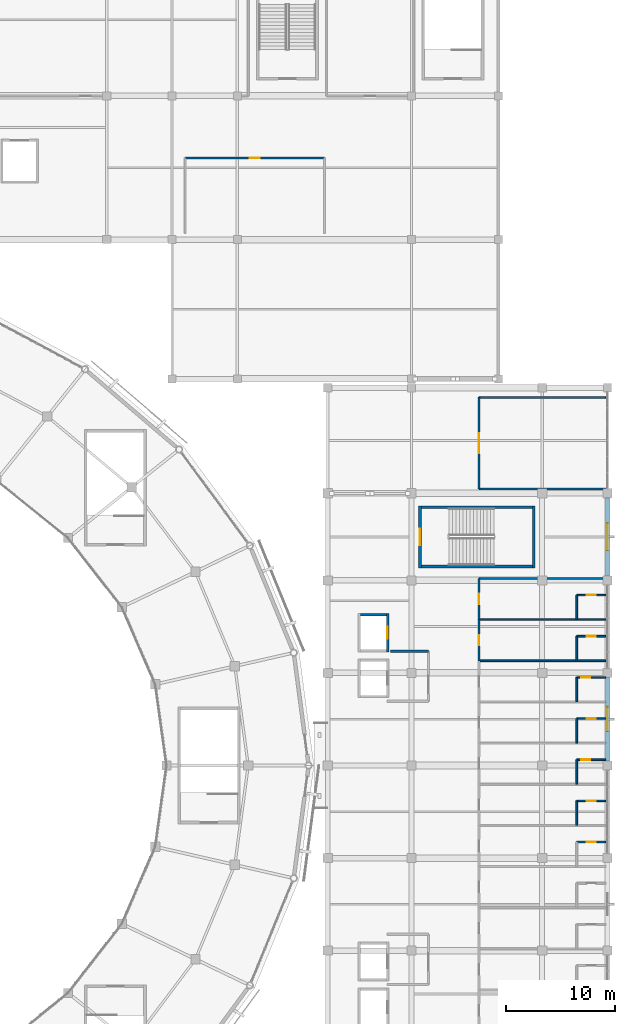
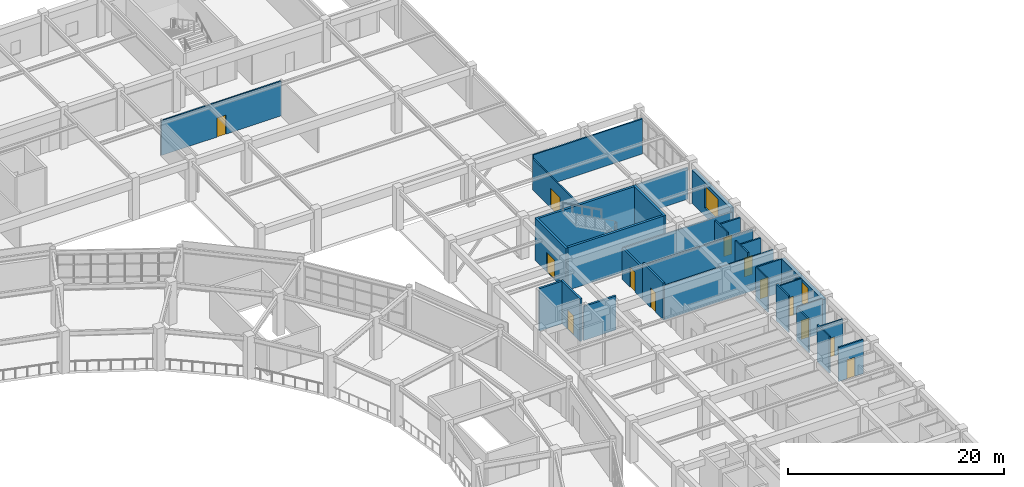
# One storey, part 89 of 112: 31 walls, 13 doors, 2 windows, 15 openings.
"""IFC4 building model written with IfcOpenShell, lengths in metres."""

from ifc_helpers import new_model, si_unit, direction, frame, frame_2d, origin, place, context, subcontext, project, spatial, rectangle, extrude, material, layer, layer_set, type_object, element, fill, save


model = new_model("IFC4")

# Units and contexts
model_context = context("Model", 3, precision=1e-05, world=origin(), true_north=direction((0.0, 1.0)))
body_context = subcontext(model_context, "Body", "Model", "MODEL_VIEW")
ifc_project = project(units=[si_unit("LENGTHUNIT", "METRE"), si_unit("AREAUNIT", "SQUARE_METRE"), si_unit("VOLUMEUNIT", "CUBIC_METRE"), si_unit("PLANEANGLEUNIT", "RADIAN"), si_unit("MASSUNIT", "GRAM", prefix="KILO")], contexts=[model_context])

# Site, building, storey
site_placement = place(None, origin())
site = spatial("IfcSite", under=ifc_project, at=site_placement, CompositionType="ELEMENT")
building_placement = place(site_placement, origin())
building = spatial("IfcBuilding", under=site, at=building_placement, Name="Cuetzalor Civic Arena", CompositionType="ELEMENT")
storey_placement = place(building_placement, frame((0.0, 0.0, 11.39990234375)))
storey = spatial("IfcBuildingStorey", under=building, at=storey_placement, Name="L02", CompositionType="ELEMENT", Elevation=11.39990234375)

# Wall, opening, door
ifc_material_1 = material(Name="Acoustic steel-stud gypsum partition", Category="steel")
ifc_layer_1 = layer(ifc_material_1, 0.14990234375)
ifc_layer_set_1 = layer_set([ifc_layer_1], Name="Acoustic steel-stud gypsum partition")
wall_type_1 = type_object("IfcWallType", Name="AcousticGypsumPartition_150", PredefinedType="PARTITIONING", material=ifc_layer_set_1)
wall_1_placement = place(storey_placement, frame((79.169921875, -7.030029296875, 0.0), z_axis=(0.0, 0.0, 1.0), x_axis=(1.0, 0.0, 0.0)))
wall_1 = element("IfcWall", 1, at=wall_1_placement, inside=storey, type_object=wall_type_1, Name="Interior Partition IWALL:L02:0333", PredefinedType="PARTITIONING", context=body_context, shape_type="SweptSolid", body=[
    extrude(rectangle(XDim=2.650146484375, YDim=0.14990234375, at=frame_2d((1.3251953125, 0.0))), origin(), (0.0, 0.0, 1.0), 3.84521484375),
])
opening_1_placement = place(wall_1_placement, frame((0.89990234375, 0.0, 0.0)))
opening_1 = element("IfcOpeningElement", 2, at=opening_1_placement, cuts=wall_1, Name="Opening ID-01", PredefinedType="OPENING", context=body_context, shape_type="SweptSolid", body=[
    extrude(rectangle(XDim=0.85009765625, YDim=2.14990234375, at=frame_2d((0.425048828125, 1.074951171875))), frame((0.0, 0.0849609375, 0.0), z_axis=(0.0, -1.0, 0.0), x_axis=(1.0, 0.0, 0.0)), (0.0, 0.0, 1.0), 0.169921875),
])
ifc_material_2 = material(Name="Painted steel frame and solid timber leaf", Category="steel")
door_type_1 = type_object("IfcDoorType", Name="InteriorSingleDoor_850x2150", OperationType="NOTDEFINED", PredefinedType="DOOR", material=ifc_material_2)
door_1_placement = place(opening_1_placement, origin())
door_1 = element("IfcDoor", 3, at=door_1_placement, inside=storey, type_object=door_type_1, Name="Door to Suite Bathroom 216", OperationType="SINGLE_SWING_LEFT", OverallHeight=2.14990234375, OverallWidth=0.85009765625, PredefinedType="DOOR", context=body_context, shape_type="SweptSolid", body=[
    extrude(rectangle(XDim=0.85009765625, YDim=2.14990234375, at=frame_2d((0.425048828125, 1.074951171875))), frame((0.0, 0.02490234375, 0.0), z_axis=(0.0, -1.0, 0.0), x_axis=(1.0, 0.0, 0.0)), (0.0, 0.0, 1.0), 0.050048828125),
])
fill(opening_1, door_1)

wall_2_placement = place(storey_placement, frame((79.169921875, -3.25, 0.0), z_axis=(0.0, 0.0, 1.0), x_axis=(1.0, 0.0, 0.0)))
wall_2 = element("IfcWall", 4, at=wall_2_placement, inside=storey, type_object=wall_type_1, Name="Interior Partition IWALL:L02:0337", PredefinedType="PARTITIONING", context=body_context, shape_type="SweptSolid", body=[
    extrude(rectangle(XDim=2.650146484375, YDim=0.14990234375, at=frame_2d((1.3251953125, 0.0))), origin(), (0.0, 0.0, 1.0), 3.84521484375),
])
opening_2_placement = place(wall_2_placement, frame((0.89990234375, 0.0, 0.0)))
opening_2 = element("IfcOpeningElement", 5, at=opening_2_placement, cuts=wall_2, Name="Opening ID-01", PredefinedType="OPENING", context=body_context, shape_type="SweptSolid", body=[
    extrude(rectangle(XDim=0.85009765625, YDim=2.14990234375, at=frame_2d((0.425048828125, 1.074951171875))), frame((0.0, 0.0849609375, 0.0), z_axis=(0.0, -1.0, 0.0), x_axis=(1.0, 0.0, 0.0)), (0.0, 0.0, 1.0), 0.169921875),
])
door_2_placement = place(opening_2_placement, origin())
door_2 = element("IfcDoor", 6, at=door_2_placement, inside=storey, type_object=door_type_1, Name="Door to Suite Bathroom 217", OperationType="SINGLE_SWING_LEFT", OverallHeight=2.14990234375, OverallWidth=0.85009765625, PredefinedType="DOOR", context=body_context, shape_type="SweptSolid", body=[
    extrude(rectangle(XDim=0.85009765625, YDim=2.14990234375, at=frame_2d((0.425048828125, 1.074951171875))), frame((0.0, 0.02490234375, 0.0), z_axis=(0.0, -1.0, 0.0), x_axis=(1.0, 0.0, 0.0)), (0.0, 0.0, 1.0), 0.050048828125),
])
fill(opening_2, door_2)

# Wall
wall_3_placement = place(storey_placement, frame((79.169921875, -5.5, 0.0), z_axis=(0.0, 0.0, 1.0), x_axis=(0.0, 1.0, 0.0)))
element("IfcWall", 7, at=wall_3_placement, inside=storey, type_object=wall_type_1, Name="Interior Partition IWALL:L02:0338", PredefinedType="PARTITIONING", context=body_context, shape_type="SweptSolid", body=[
    extrude(rectangle(XDim=2.25, YDim=0.14990234375, at=frame_2d((1.125, 0.0))), origin(), (0.0, 0.0, 1.0), 4.14013671875),
])

# Wall, opening, door
wall_4_placement = place(storey_placement, frame((79.169921875, 0.530029296875, 0.0), z_axis=(0.0, 0.0, 1.0), x_axis=(1.0, 0.0, 0.0)))
wall_4 = element("IfcWall", 8, at=wall_4_placement, inside=storey, type_object=wall_type_1, Name="Interior Partition IWALL:L02:0341", PredefinedType="PARTITIONING", context=body_context, shape_type="SweptSolid", body=[
    extrude(rectangle(XDim=2.650146484375, YDim=0.14990234375, at=frame_2d((1.3251953125, 0.0))), origin(), (0.0, 0.0, 1.0), 3.84521484375),
])
opening_3_placement = place(wall_4_placement, frame((0.39990234375, 0.0, 0.0)))
opening_3 = element("IfcOpeningElement", 9, at=opening_3_placement, cuts=wall_4, Name="Opening ID-01", PredefinedType="OPENING", context=body_context, shape_type="SweptSolid", body=[
    extrude(rectangle(XDim=0.85009765625, YDim=2.14990234375, at=frame_2d((0.425048828125, 1.074951171875))), frame((0.0, 0.0849609375, 0.0), z_axis=(0.0, -1.0, 0.0), x_axis=(1.0, 0.0, 0.0)), (0.0, 0.0, 1.0), 0.169921875),
])
door_3_placement = place(opening_3_placement, origin())
door_3 = element("IfcDoor", 10, at=door_3_placement, inside=storey, type_object=door_type_1, Name="Door to Suite Bathroom 218", OperationType="SINGLE_SWING_LEFT", OverallHeight=2.14990234375, OverallWidth=0.85009765625, PredefinedType="DOOR", context=body_context, shape_type="SweptSolid", body=[
    extrude(rectangle(XDim=0.85009765625, YDim=2.14990234375, at=frame_2d((0.425048828125, 1.074951171875))), frame((0.0, 0.02490234375, 0.0), z_axis=(0.0, -1.0, 0.0), x_axis=(1.0, 0.0, 0.0)), (0.0, 0.0, 1.0), 0.050048828125),
])
fill(opening_3, door_3)

# Wall
wall_5_placement = place(storey_placement, frame((79.169921875, -1.719970703125, 0.0), z_axis=(0.0, 0.0, 1.0), x_axis=(0.0, 1.0, 0.0)))
element("IfcWall", 11, at=wall_5_placement, inside=storey, type_object=wall_type_1, Name="Interior Partition IWALL:L02:0342", PredefinedType="PARTITIONING", context=body_context, shape_type="SweptSolid", body=[
    extrude(rectangle(XDim=2.25, YDim=0.14990234375, at=frame_2d((1.125, 0.0))), origin(), (0.0, 0.0, 1.0), 3.7451171875),
])

# Wall, opening, door
wall_6_placement = place(storey_placement, frame((79.169921875, 4.31005859375, 0.0), z_axis=(0.0, 0.0, 1.0), x_axis=(1.0, 0.0, 0.0)))
wall_6 = element("IfcWall", 12, at=wall_6_placement, inside=storey, type_object=wall_type_1, Name="Interior Partition IWALL:L02:0345", PredefinedType="PARTITIONING", context=body_context, shape_type="SweptSolid", body=[
    extrude(rectangle(XDim=2.650146484375, YDim=0.14990234375, at=frame_2d((1.3251953125, 0.0))), origin(), (0.0, 0.0, 1.0), 3.84521484375),
])
opening_4_placement = place(wall_6_placement, frame((0.89990234375, 0.0, 0.0)))
opening_4 = element("IfcOpeningElement", 13, at=opening_4_placement, cuts=wall_6, Name="Opening ID-01", PredefinedType="OPENING", context=body_context, shape_type="SweptSolid", body=[
    extrude(rectangle(XDim=0.85009765625, YDim=2.14990234375, at=frame_2d((0.425048828125, 1.074951171875))), frame((0.0, 0.0849609375, 0.0), z_axis=(0.0, -1.0, 0.0), x_axis=(1.0, 0.0, 0.0)), (0.0, 0.0, 1.0), 0.169921875),
])
door_4_placement = place(opening_4_placement, origin())
door_4 = element("IfcDoor", 14, at=door_4_placement, inside=storey, type_object=door_type_1, Name="Door to Suite Bathroom 219", OperationType="SINGLE_SWING_LEFT", OverallHeight=2.14990234375, OverallWidth=0.85009765625, PredefinedType="DOOR", context=body_context, shape_type="SweptSolid", body=[
    extrude(rectangle(XDim=0.85009765625, YDim=2.14990234375, at=frame_2d((0.425048828125, 1.074951171875))), frame((0.0, 0.02490234375, 0.0), z_axis=(0.0, -1.0, 0.0), x_axis=(1.0, 0.0, 0.0)), (0.0, 0.0, 1.0), 0.050048828125),
])
fill(opening_4, door_4)

# Wall
wall_7_placement = place(storey_placement, frame((79.169921875, 2.06005859375, 0.0), z_axis=(0.0, 0.0, 1.0), x_axis=(0.0, 1.0, 0.0)))
element("IfcWall", 15, at=wall_7_placement, inside=storey, type_object=wall_type_1, Name="Interior Partition IWALL:L02:0346", PredefinedType="PARTITIONING", context=body_context, shape_type="SweptSolid", body=[
    extrude(rectangle(XDim=2.25, YDim=0.14990234375, at=frame_2d((1.125, 0.0))), origin(), (0.0, 0.0, 1.0), 4.14013671875),
])

# Wall, opening, door
wall_8_placement = place(storey_placement, frame((79.169921875, 8.090087890625, 0.0), z_axis=(0.0, 0.0, 1.0), x_axis=(1.0, 0.0, 0.0)))
wall_8 = element("IfcWall", 16, at=wall_8_placement, inside=storey, type_object=wall_type_1, Name="Interior Partition IWALL:L02:0349", PredefinedType="PARTITIONING", context=body_context, shape_type="SweptSolid", body=[
    extrude(rectangle(XDim=2.650146484375, YDim=0.14990234375, at=frame_2d((1.3251953125, 0.0))), origin(), (0.0, 0.0, 1.0), 3.7451171875),
])
opening_5_placement = place(wall_8_placement, frame((0.39990234375, 0.0, 0.0)))
opening_5 = element("IfcOpeningElement", 17, at=opening_5_placement, cuts=wall_8, Name="Opening ID-01", PredefinedType="OPENING", context=body_context, shape_type="SweptSolid", body=[
    extrude(rectangle(XDim=0.85009765625, YDim=2.14990234375, at=frame_2d((0.425048828125, 1.074951171875))), frame((0.0, 0.0849609375, 0.0), z_axis=(0.0, -1.0, 0.0), x_axis=(1.0, 0.0, 0.0)), (0.0, 0.0, 1.0), 0.169921875),
])
door_5_placement = place(opening_5_placement, origin())
door_5 = element("IfcDoor", 18, at=door_5_placement, inside=storey, type_object=door_type_1, Name="Door to Suite Bathroom 220", OperationType="SINGLE_SWING_LEFT", OverallHeight=2.14990234375, OverallWidth=0.85009765625, PredefinedType="DOOR", context=body_context, shape_type="SweptSolid", body=[
    extrude(rectangle(XDim=0.85009765625, YDim=2.14990234375, at=frame_2d((0.425048828125, 1.074951171875))), frame((0.0, 0.02490234375, 0.0), z_axis=(0.0, -1.0, 0.0), x_axis=(1.0, 0.0, 0.0)), (0.0, 0.0, 1.0), 0.050048828125),
])
fill(opening_5, door_5)

# Walls
wall_9_placement = place(storey_placement, frame((79.169921875, 5.840087890625, 0.0), z_axis=(0.0, 0.0, 1.0), x_axis=(0.0, 1.0, 0.0)))
element("IfcWall", 19, at=wall_9_placement, inside=storey, type_object=wall_type_1, Name="Interior Partition IWALL:L02:0350", PredefinedType="PARTITIONING", context=body_context, shape_type="SweptSolid", body=[
    extrude(rectangle(XDim=2.25, YDim=0.14990234375, at=frame_2d((1.125, 0.0))), origin(), (0.0, 0.0, 1.0), 3.7451171875),
])
wall_10_placement = place(storey_placement, frame((70.199951171875, 9.6201171875, 0.0), z_axis=(0.0, 0.0, 1.0), x_axis=(1.0, 0.0, 0.0)))
element("IfcWall", 20, at=wall_10_placement, inside=storey, type_object=wall_type_1, Name="Interior Partition IWALL:L02:0352", PredefinedType="PARTITIONING", context=body_context, shape_type="SweptSolid", body=[
    extrude(rectangle(XDim=11.6201171875, YDim=0.14990234375, at=frame_2d((5.81005859375, 0.0))), origin(), (0.0, 0.0, 1.0), 3.84521484375),
])

# Wall, opening, door
wall_11_placement = place(storey_placement, frame((79.169921875, 11.8701171875, 0.0), z_axis=(0.0, 0.0, 1.0), x_axis=(1.0, 0.0, 0.0)))
wall_11 = element("IfcWall", 21, at=wall_11_placement, inside=storey, type_object=wall_type_1, Name="Interior Partition IWALL:L02:0353", PredefinedType="PARTITIONING", context=body_context, shape_type="SweptSolid", body=[
    extrude(rectangle(XDim=2.650146484375, YDim=0.14990234375, at=frame_2d((1.3251953125, 0.0))), origin(), (0.0, 0.0, 1.0), 3.84521484375),
])
opening_6_placement = place(wall_11_placement, frame((0.89990234375, 0.0, 0.0)))
opening_6 = element("IfcOpeningElement", 22, at=opening_6_placement, cuts=wall_11, Name="Opening ID-01", PredefinedType="OPENING", context=body_context, shape_type="SweptSolid", body=[
    extrude(rectangle(XDim=0.85009765625, YDim=2.14990234375, at=frame_2d((0.425048828125, 1.074951171875))), frame((0.0, 0.0849609375, 0.0), z_axis=(0.0, -1.0, 0.0), x_axis=(1.0, 0.0, 0.0)), (0.0, 0.0, 1.0), 0.169921875),
])
door_6_placement = place(opening_6_placement, origin())
door_6 = element("IfcDoor", 23, at=door_6_placement, inside=storey, type_object=door_type_1, Name="Door to Suite Bathroom 221", OperationType="SINGLE_SWING_LEFT", OverallHeight=2.14990234375, OverallWidth=0.85009765625, PredefinedType="DOOR", context=body_context, shape_type="SweptSolid", body=[
    extrude(rectangle(XDim=0.85009765625, YDim=2.14990234375, at=frame_2d((0.425048828125, 1.074951171875))), frame((0.0, 0.02490234375, 0.0), z_axis=(0.0, -1.0, 0.0), x_axis=(1.0, 0.0, 0.0)), (0.0, 0.0, 1.0), 0.050048828125),
])
fill(opening_6, door_6)

# Walls
wall_12_placement = place(storey_placement, frame((79.169921875, 9.6201171875, 0.0), z_axis=(0.0, 0.0, 1.0), x_axis=(0.0, 1.0, 0.0)))
element("IfcWall", 24, at=wall_12_placement, inside=storey, type_object=wall_type_1, Name="Interior Partition IWALL:L02:0354", PredefinedType="PARTITIONING", context=body_context, shape_type="SweptSolid", body=[
    extrude(rectangle(XDim=2.25, YDim=0.14990234375, at=frame_2d((1.125, 0.0))), origin(), (0.0, 0.0, 1.0), 4.440185546875),
])
wall_13_placement = place(storey_placement, frame((70.199951171875, 13.39990234375, 0.0), z_axis=(0.0, 0.0, 1.0), x_axis=(1.0, 0.0, 0.0)))
element("IfcWall", 25, at=wall_13_placement, inside=storey, type_object=wall_type_1, Name="Interior Partition IWALL:L02:0356", PredefinedType="PARTITIONING", context=body_context, shape_type="SweptSolid", body=[
    extrude(rectangle(XDim=11.6201171875, YDim=0.14990234375, at=frame_2d((5.81005859375, 0.0))), origin(), (0.0, 0.0, 1.0), 3.84521484375),
])

# Wall, opening, door
wall_14_placement = place(storey_placement, frame((79.169921875, 15.64990234375, 0.0), z_axis=(0.0, 0.0, 1.0), x_axis=(1.0, 0.0, 0.0)))
wall_14 = element("IfcWall", 26, at=wall_14_placement, inside=storey, type_object=wall_type_1, Name="Interior Partition IWALL:L02:0357", PredefinedType="PARTITIONING", context=body_context, shape_type="SweptSolid", body=[
    extrude(rectangle(XDim=2.650146484375, YDim=0.14990234375, at=frame_2d((1.3251953125, 0.0))), origin(), (0.0, 0.0, 1.0), 3.84521484375),
])
opening_7_placement = place(wall_14_placement, frame((0.89990234375, 0.0, 0.0)))
opening_7 = element("IfcOpeningElement", 27, at=opening_7_placement, cuts=wall_14, Name="Opening ID-01", PredefinedType="OPENING", context=body_context, shape_type="SweptSolid", body=[
    extrude(rectangle(XDim=0.85009765625, YDim=2.14990234375, at=frame_2d((0.425048828125, 1.074951171875))), frame((0.0, 0.0849609375, 0.0), z_axis=(0.0, -1.0, 0.0), x_axis=(1.0, 0.0, 0.0)), (0.0, 0.0, 1.0), 0.169921875),
])
door_7_placement = place(opening_7_placement, origin())
door_7 = element("IfcDoor", 28, at=door_7_placement, inside=storey, type_object=door_type_1, Name="Door to Suite Bathroom 222", OperationType="SINGLE_SWING_LEFT", OverallHeight=2.14990234375, OverallWidth=0.85009765625, PredefinedType="DOOR", context=body_context, shape_type="SweptSolid", body=[
    extrude(rectangle(XDim=0.85009765625, YDim=2.14990234375, at=frame_2d((0.425048828125, 1.074951171875))), frame((0.0, 0.02490234375, 0.0), z_axis=(0.0, -1.0, 0.0), x_axis=(1.0, 0.0, 0.0)), (0.0, 0.0, 1.0), 0.050048828125),
])
fill(opening_7, door_7)

# Walls
wall_15_placement = place(storey_placement, frame((79.169921875, 13.39990234375, 0.0), z_axis=(0.0, 0.0, 1.0), x_axis=(0.0, 1.0, 0.0)))
element("IfcWall", 29, at=wall_15_placement, inside=storey, type_object=wall_type_1, Name="Interior Partition IWALL:L02:0358", PredefinedType="PARTITIONING", context=body_context, shape_type="SweptSolid", body=[
    extrude(rectangle(XDim=2.25, YDim=0.14990234375, at=frame_2d((1.125, 0.0))), origin(), (0.0, 0.0, 1.0), 4.440185546875),
])
wall_16_placement = place(storey_placement, frame((70.199951171875, 17.179931640625, 0.0), z_axis=(0.0, 0.0, 1.0), x_axis=(1.0, 0.0, 0.0)))
element("IfcWall", 30, at=wall_16_placement, inside=storey, type_object=wall_type_1, Name="Interior Partition IWALL:L02:0360", PredefinedType="PARTITIONING", context=body_context, shape_type="SweptSolid", body=[
    extrude(rectangle(XDim=11.6201171875, YDim=0.14990234375, at=frame_2d((5.81005859375, 0.0))), origin(), (0.0, 0.0, 1.0), 3.545166015625),
])
wall_17_placement = place(storey_placement, frame((70.199951171875, 33.800048828125, 0.0), z_axis=(0.0, 0.0, 1.0), x_axis=(1.0, 0.0, 0.0)))
element("IfcWall", 31, at=wall_17_placement, inside=storey, type_object=wall_type_1, Name="Interior Partition IWALL:L02:0361", PredefinedType="PARTITIONING", context=body_context, shape_type="SweptSolid", body=[
    extrude(rectangle(XDim=11.6201171875, YDim=0.14990234375, at=frame_2d((5.81005859375, 0.0))), origin(), (0.0, 0.0, 1.0), 3.962158203125),
])
wall_18_placement = place(storey_placement, frame((81.820068359375, 25.39990234375, 0.0), z_axis=(0.0, 0.0, 1.0), x_axis=(-1.0, 0.0, 0.0)))
element("IfcWall", 32, at=wall_18_placement, inside=storey, type_object=wall_type_1, Name="Interior Partition IWALL:L02:0362", PredefinedType="PARTITIONING", context=body_context, shape_type="SweptSolid", body=[
    extrude(rectangle(XDim=11.6201171875, YDim=0.14990234375, at=frame_2d((5.81005859375, 0.0))), origin(), (0.0, 0.0, 1.0), 3.545166015625),
])

# Wall, opening, door
wall_19_placement = place(storey_placement, frame((70.199951171875, 25.39990234375, 0.0), z_axis=(0.0, 0.0, 1.0), x_axis=(0.0, 1.0, 0.0)))
wall_19 = element("IfcWall", 33, at=wall_19_placement, inside=storey, type_object=wall_type_1, Name="Interior Partition IWALL:L02:0363", PredefinedType="PARTITIONING", context=body_context, shape_type="SweptSolid", body=[
    extrude(rectangle(XDim=8.400146484375, YDim=0.14990234375, at=frame_2d((4.2001953125, 0.0))), origin(), (0.0, 0.0, 1.0), 3.545166015625),
])
opening_8_placement = place(wall_19_placement, frame((3.300048828125, 0.0, 0.0)))
opening_8 = element("IfcOpeningElement", 34, at=opening_8_placement, cuts=wall_19, Name="Opening ID-06", PredefinedType="OPENING", context=body_context, shape_type="SweptSolid", body=[
    extrude(rectangle(XDim=1.800048828125, YDim=2.199951171875, at=frame_2d((0.89990234375, 1.10009765625))), frame((0.0, 0.0849609375, 0.0), z_axis=(0.0, -1.0, 0.0), x_axis=(1.0, 0.0, 0.0)), (0.0, 0.0, 1.0), 0.169921875),
])
ifc_material_3 = material(Name="Glazed bronze acoustic double door", Category="metal")
door_type_2 = type_object("IfcDoorType", Name="PublicDoubleDoor_1800x2200", OperationType="DOUBLE_DOOR_SINGLE_SWING", PredefinedType="DOOR", material=ifc_material_3)
door_8_placement = place(opening_8_placement, origin())
door_8 = element("IfcDoor", 35, at=door_8_placement, inside=storey, type_object=door_type_2, Name="Door to Hospitality Club Lounge East L02", OperationType="DOUBLE_DOOR_SINGLE_SWING", OverallHeight=2.199951171875, OverallWidth=1.800048828125, PredefinedType="DOOR", context=body_context, shape_type="SweptSolid", body=[
    extrude(rectangle(XDim=1.800048828125, YDim=2.199951171875, at=frame_2d((0.89990234375, 1.10009765625))), frame((0.0, 0.02490234375, 0.0), z_axis=(0.0, -1.0, 0.0), x_axis=(1.0, 0.0, 0.0)), (0.0, 0.0, 1.0), 0.050048828125),
])
fill(opening_8, door_8)

wall_20_placement = place(storey_placement, frame((43.199951171875, 55.800048828125, 0.0), z_axis=(0.0, 0.0, 1.0), x_axis=(1.0, 0.0, 0.0)))
wall_20 = element("IfcWall", 36, at=wall_20_placement, inside=storey, type_object=wall_type_1, Name="Interior Partition IWALL:L02:0376", PredefinedType="PARTITIONING", context=body_context, shape_type="SweptSolid", body=[
    extrude(rectangle(XDim=12.800048828125, YDim=0.14990234375, at=frame_2d((6.39990234375, 0.0))), origin(), (0.0, 0.0, 1.0), 3.922119140625),
])
opening_9_placement = place(wall_20_placement, frame((5.925048828125, 0.0, 0.0)))
opening_9 = element("IfcOpeningElement", 37, at=opening_9_placement, cuts=wall_20, Name="Opening ID-03", PredefinedType="OPENING", context=body_context, shape_type="SweptSolid", body=[
    extrude(rectangle(XDim=0.949951171875, YDim=2.14990234375, at=frame_2d((0.47509765625, 1.074951171875))), frame((0.0, 0.0849609375, 0.0), z_axis=(0.0, -1.0, 0.0), x_axis=(1.0, 0.0, 0.0)), (0.0, 0.0, 1.0), 0.169921875),
])
ifc_material_4 = material(Name="Painted steel frame and solid timber leaf", Category="steel")
door_type_3 = type_object("IfcDoorType", Name="InteriorSingleDoor_950x2150", OperationType="NOTDEFINED", PredefinedType="DOOR", material=ifc_material_4)
door_9_placement = place(opening_9_placement, origin())
door_9 = element("IfcDoor", 38, at=door_9_placement, inside=storey, type_object=door_type_3, Name="Door to Accessible WC Admin L02", OperationType="SINGLE_SWING_RIGHT", OverallHeight=2.14990234375, OverallWidth=0.949951171875, PredefinedType="DOOR", context=body_context, shape_type="SweptSolid", body=[
    extrude(rectangle(XDim=0.949951171875, YDim=2.14990234375, at=frame_2d((0.47509765625, 1.074951171875))), frame((0.0, 0.02490234375, 0.0), z_axis=(0.0, -1.0, 0.0), x_axis=(1.0, 0.0, 0.0)), (0.0, 0.0, 1.0), 0.050048828125),
])
fill(opening_9, door_9)

ifc_material_5 = material(Name="Concrete C40/50", Category="concrete")
ifc_layer_2 = layer(ifc_material_5, 0.25)
ifc_layer_set_2 = layer_set([ifc_layer_2], Name="Concrete C40/50")
wall_type_2 = type_object("IfcWallType", Name="ConcreteCoreShearWall_250", PredefinedType="SHEAR", material=ifc_layer_set_2)
wall_21_placement = place(storey_placement, frame((64.77490234375, 18.14990234375, 0.0), z_axis=(0.0, 0.0, 1.0), x_axis=(0.0, 1.0, 0.0)))
wall_21 = element("IfcWall", 39, at=wall_21_placement, inside=storey, type_object=wall_type_2, Name="Stair Core Shear Wall ST-22-L02-W", PredefinedType="SHEAR", context=body_context, shape_type="SweptSolid", body=[
    extrude(rectangle(XDim=5.7001953125, YDim=0.25, at=frame_2d((2.85009765625, 0.0))), origin(), (0.0, 0.0, 1.0), 4.800048828125),
])
opening_10_placement = place(wall_21_placement, frame((2.10009765625, 0.0, 0.0)))
opening_10 = element("IfcOpeningElement", 40, at=opening_10_placement, cuts=wall_21, Name="Opening FD-03", PredefinedType="OPENING", context=body_context, shape_type="SweptSolid", body=[
    extrude(rectangle(XDim=1.5, YDim=2.199951171875, at=frame_2d((0.75, 1.10009765625))), frame((0.0, 0.135009765625, 0.0), z_axis=(0.0, -1.0, 0.0), x_axis=(1.0, 0.0, 0.0)), (0.0, 0.0, 1.0), 0.27001953125),
])
ifc_material_6 = material(Name="Fire-rated steel stair exit double door", Category="steel")
door_type_4 = type_object("IfcDoorType", Name="StairFireDoubleDoor_1500x2200", OperationType="DOUBLE_DOOR_SINGLE_SWING", PredefinedType="DOOR", material=ifc_material_6)
door_10_placement = place(opening_10_placement, origin())
door_10 = element("IfcDoor", 41, at=door_10_placement, inside=storey, type_object=door_type_4, Name="Fire Stair Door ST-22 L02", OperationType="DOUBLE_DOOR_SINGLE_SWING", OverallHeight=2.199951171875, OverallWidth=1.5, PredefinedType="DOOR", context=body_context, shape_type="SweptSolid", body=[
    extrude(rectangle(XDim=1.5, YDim=2.199951171875, at=frame_2d((0.75, 1.10009765625))), frame((0.0, 0.02490234375, 0.0), z_axis=(0.0, -1.0, 0.0), x_axis=(1.0, 0.0, 0.0)), (0.0, 0.0, 1.0), 0.050048828125),
])
fill(opening_10, door_10)

# Walls
wall_22_placement = place(storey_placement, frame((64.89990234375, 23.72509765625, 0.0), z_axis=(0.0, 0.0, 1.0), x_axis=(1.0, 0.0, 0.0)))
element("IfcWall", 42, at=wall_22_placement, inside=storey, type_object=wall_type_2, Name="Stair Core Shear Wall ST-22-L02-N", PredefinedType="SHEAR", context=body_context, shape_type="SweptSolid", body=[
    extrude(rectangle(XDim=10.2001953125, YDim=0.25, at=frame_2d((5.10009765625, 0.0))), origin(), (0.0, 0.0, 1.0), 4.800048828125),
])
wall_23_placement = place(storey_placement, frame((75.22509765625, 23.85009765625, 0.0), z_axis=(0.0, 0.0, 1.0), x_axis=(0.0, -1.0, 0.0)))
element("IfcWall", 43, at=wall_23_placement, inside=storey, type_object=wall_type_2, Name="Stair Core Shear Wall ST-22-L02-E", PredefinedType="SHEAR", context=body_context, shape_type="SweptSolid", body=[
    extrude(rectangle(XDim=5.7001953125, YDim=0.25, at=frame_2d((2.85009765625, 0.0))), origin(), (0.0, 0.0, 1.0), 4.800048828125),
])
wall_24_placement = place(storey_placement, frame((75.10009765625, 18.27490234375, 0.0), z_axis=(0.0, 0.0, 1.0), x_axis=(-1.0, 0.0, 0.0)))
element("IfcWall", 44, at=wall_24_placement, inside=storey, type_object=wall_type_2, Name="Stair Core Shear Wall ST-22-L02-S", PredefinedType="SHEAR", context=body_context, shape_type="SweptSolid", body=[
    extrude(rectangle(XDim=10.2001953125, YDim=0.25, at=frame_2d((5.10009765625, 0.0))), origin(), (0.0, 0.0, 1.0), 4.800048828125),
])
ifc_material_7 = material(Name="Fire-rated masonry and gypsum partition", Category="masonry")
ifc_layer_3 = layer(ifc_material_7, 0.199951171875)
ifc_layer_set_3 = layer_set([ifc_layer_3], Name="Fire-rated masonry and gypsum partition")
wall_type_3 = type_object("IfcWallType", Name="FireCompartmentWall_200", PredefinedType="PARTITIONING", material=ifc_layer_set_3)
wall_25_placement = place(storey_placement, frame((62.070068359375, 10.5, 0.0), z_axis=(0.0, 0.0, 1.0), x_axis=(1.0, 0.0, 0.0)))
element("IfcWall", 45, at=wall_25_placement, inside=storey, type_object=wall_type_3, Name="Interior Partition IWALL:L02:0062", PredefinedType="PARTITIONING", context=body_context, shape_type="SweptSolid", body=[
    extrude(rectangle(XDim=3.47998046875, YDim=0.199951171875, at=frame_2d((1.739990234375, 0.0))), origin(), (0.0, 0.0, 1.0), 3.84521484375),
])

# Wall, opening, door
wall_26_placement = place(storey_placement, frame((70.199951171875, 9.6201171875, 0.0), z_axis=(0.0, 0.0, 1.0), x_axis=(0.0, 1.0, 0.0)))
wall_26 = element("IfcWall", 46, at=wall_26_placement, inside=storey, type_object=wall_type_3, Name="Interior Partition IWALL:L02:0355", PredefinedType="PARTITIONING", context=body_context, shape_type="SweptSolid", body=[
    extrude(rectangle(XDim=3.77978515625, YDim=0.199951171875, at=frame_2d((1.889892578125, 0.0))), origin(), (0.0, 0.0, 1.0), 4.14013671875),
])
opening_11_placement = place(wall_26_placement, frame((1.4150390625, 0.0, 0.0)))
opening_11 = element("IfcOpeningElement", 47, at=opening_11_placement, cuts=wall_26, Name="Opening ID-05", PredefinedType="OPENING", context=body_context, shape_type="SweptSolid", body=[
    extrude(rectangle(XDim=0.949951171875, YDim=2.25, at=frame_2d((0.47509765625, 1.125))), frame((0.0, 0.10986328125, 0.0), z_axis=(0.0, -1.0, 0.0), x_axis=(1.0, 0.0, 0.0)), (0.0, 0.0, 1.0), 0.219970703125),
])
ifc_material_8 = material(Name="Bronze-clad fire-rated acoustic timber door", Category="wood")
door_type_5 = type_object("IfcDoorType", Name="SuiteEntryDoor_950x2150", OperationType="NOTDEFINED", PredefinedType="DOOR", material=ifc_material_8)
door_11_placement = place(opening_11_placement, origin())
door_11 = element("IfcDoor", 48, at=door_11_placement, inside=storey, type_object=door_type_5, Name="Door to Private Viewing Suite 221", OperationType="SINGLE_SWING_RIGHT", OverallHeight=2.25, OverallWidth=0.949951171875, PredefinedType="DOOR", context=body_context, shape_type="SweptSolid", body=[
    extrude(rectangle(XDim=0.949951171875, YDim=2.25, at=frame_2d((0.47509765625, 1.125))), frame((0.0, 0.02490234375, 0.0), z_axis=(0.0, -1.0, 0.0), x_axis=(1.0, 0.0, 0.0)), (0.0, 0.0, 1.0), 0.050048828125),
])
fill(opening_11, door_11)

wall_27_placement = place(storey_placement, frame((70.199951171875, 13.39990234375, 0.0), z_axis=(0.0, 0.0, 1.0), x_axis=(0.0, 1.0, 0.0)))
wall_27 = element("IfcWall", 49, at=wall_27_placement, inside=storey, type_object=wall_type_3, Name="Interior Partition IWALL:L02:0359", PredefinedType="PARTITIONING", context=body_context, shape_type="SweptSolid", body=[
    extrude(rectangle(XDim=3.780029296875, YDim=0.199951171875, at=frame_2d((1.89013671875, 0.0))), origin(), (0.0, 0.0, 1.0), 3.545166015625),
])
opening_12_placement = place(wall_27_placement, frame((1.4150390625, 0.0, 0.0)))
opening_12 = element("IfcOpeningElement", 50, at=opening_12_placement, cuts=wall_27, Name="Opening ID-05", PredefinedType="OPENING", context=body_context, shape_type="SweptSolid", body=[
    extrude(rectangle(XDim=0.949951171875, YDim=2.25, at=frame_2d((0.47509765625, 1.125))), frame((0.0, 0.10986328125, 0.0), z_axis=(0.0, -1.0, 0.0), x_axis=(1.0, 0.0, 0.0)), (0.0, 0.0, 1.0), 0.219970703125),
])
door_12_placement = place(opening_12_placement, origin())
door_12 = element("IfcDoor", 51, at=door_12_placement, inside=storey, type_object=door_type_5, Name="Door to Private Viewing Suite 222", OperationType="SINGLE_SWING_RIGHT", OverallHeight=2.25, OverallWidth=0.949951171875, PredefinedType="DOOR", context=body_context, shape_type="SweptSolid", body=[
    extrude(rectangle(XDim=0.949951171875, YDim=2.25, at=frame_2d((0.47509765625, 1.125))), frame((0.0, 0.02490234375, 0.0), z_axis=(0.0, -1.0, 0.0), x_axis=(1.0, 0.0, 0.0)), (0.0, 0.0, 1.0), 0.050048828125),
])
fill(opening_12, door_12)

# Wall
ifc_material_9 = material(Name="Concrete C40/50", Category="concrete")
ifc_layer_4 = layer(ifc_material_9, 0.219970703125)
ifc_layer_set_4 = layer_set([ifc_layer_4], Name="Concrete C40/50")
wall_type_4 = type_object("IfcWallType", Name="LiftShaftShearWall_220", PredefinedType="SHEAR", material=ifc_layer_set_4)
wall_28_placement = place(storey_placement, frame((59.300048828125, 13.860107421875, 0.0), z_axis=(0.0, 0.0, 1.0), x_axis=(1.0, 0.0, 0.0)))
element("IfcWall", 52, at=wall_28_placement, inside=storey, type_object=wall_type_4, Name="Lift Shaft Wall LP-06-L02-N", PredefinedType="SHEAR", context=body_context, shape_type="SweptSolid", body=[
    extrude(rectangle(XDim=2.39990234375, YDim=0.219970703125, at=frame_2d((1.199951171875, 0.0))), origin(), (0.0, 0.0, 1.0), 4.800048828125),
])

# Wall, opening, door
wall_29_placement = place(storey_placement, frame((61.81005859375, 13.969970703125, 0.0), z_axis=(0.0, 0.0, 1.0), x_axis=(0.0, -1.0, 0.0)))
wall_29 = element("IfcWall", 53, at=wall_29_placement, inside=storey, type_object=wall_type_4, Name="Lift Shaft Wall LP-06-L02-E", PredefinedType="SHEAR", context=body_context, shape_type="SweptSolid", body=[
    extrude(rectangle(XDim=3.5400390625, YDim=0.219970703125, at=frame_2d((1.77001953125, 0.0))), origin(), (0.0, 0.0, 1.0), 4.800048828125),
])
opening_13_placement = place(wall_29_placement, frame((1.219970703125, 0.0, 0.0)))
opening_13 = element("IfcOpeningElement", 54, at=opening_13_placement, cuts=wall_29, Name="Opening LD-01", PredefinedType="OPENING", context=body_context, shape_type="SweptSolid", body=[
    extrude(rectangle(XDim=1.10009765625, YDim=2.199951171875, at=frame_2d((0.550048828125, 1.10009765625))), frame((0.0, 0.1201171875, 0.0), z_axis=(0.0, -1.0, 0.0), x_axis=(1.0, 0.0, 0.0)), (0.0, 0.0, 1.0), 0.239990234375),
])
ifc_material_10 = material(Name="Brushed stainless steel sliding lift landing door", Category="steel")
door_type_6 = type_object("IfcDoorType", Name="LiftLandingSlidingDoor_1100x2200", OperationType="SLIDING_TO_LEFT", PredefinedType="DOOR", material=ifc_material_10)
door_13_placement = place(opening_13_placement, origin())
door_13 = element("IfcDoor", 55, at=door_13_placement, inside=storey, type_object=door_type_6, Name="Lift Landing Sliding Door LP-06 L02", OperationType="SLIDING_TO_LEFT", OverallHeight=2.199951171875, OverallWidth=1.10009765625, PredefinedType="DOOR", context=body_context, shape_type="SweptSolid", body=[
    extrude(rectangle(XDim=1.10009765625, YDim=2.199951171875, at=frame_2d((0.550048828125, 1.10009765625))), frame((0.0, 0.02490234375, 0.0), z_axis=(0.0, -1.0, 0.0), x_axis=(1.0, 0.0, 0.0)), (0.0, 0.0, 1.0), 0.050048828125),
])
fill(opening_13, door_13)

# Wall, opening, window
ifc_material_11 = material(Name="Polychrome Talavera ceramic on Concrete C35/45", Category="concrete")
ifc_layer_5 = layer(ifc_material_11, 0.3798828125)
ifc_layer_set_5 = layer_set([ifc_layer_5], Name="Polychrome Talavera ceramic on Concrete C35/45")
wall_type_5 = type_object("IfcWallType", Name="TalaveraSpandrelWall_380", PredefinedType="SOLIDWALL", material=ifc_layer_set_5)
wall_30_placement = place(storey_placement, frame((82.0, 8.093017578125, 0.0), z_axis=(0.0, 0.0, 1.0), x_axis=(0.0, -1.0, 0.0)))
wall_30 = element("IfcWall", 56, at=wall_30_placement, inside=storey, type_object=wall_type_5, Name="V4E Outer Talavera Wall L02-167", PredefinedType="SOLIDWALL", context=body_context, shape_type="SweptSolid", body=[
    extrude(rectangle(XDim=7.68603515625, YDim=0.3798828125, at=frame_2d((3.843017578125, 0.0))), origin(), (0.0, 0.0, 1.0), 3.760009765625),
])
opening_14_placement = place(wall_30_placement, frame((2.718017578125, 0.0, 0.89990234375)))
opening_14 = element("IfcOpeningElement", 57, at=opening_14_placement, cuts=wall_30, Name="Opening WN-52", PredefinedType="OPENING", context=body_context, shape_type="SweptSolid", body=[
    extrude(rectangle(XDim=2.25, YDim=2.5, at=frame_2d((1.125, 1.25))), frame((0.0, 0.199951171875, 0.0), z_axis=(0.0, -1.0, 0.0), x_axis=(1.0, 0.0, 0.0)), (0.0, 0.0, 1.0), 0.39990234375),
])
ifc_material_12 = material(Name="Anodised bronze aluminium and low-E solar glass", Category="aluminium")
window_type_1 = type_object("IfcWindowType", Name="BronzeThermalWindow_2250x2500", PartitioningType="DOUBLE_PANEL_VERTICAL", PredefinedType="WINDOW", material=ifc_material_12)
window_1_placement = place(opening_14_placement, origin())
window_1 = element("IfcWindow", 58, at=window_1_placement, inside=storey, type_object=window_type_1, Name="V4E Facade Window L02-0052", OverallHeight=2.5, OverallWidth=2.25, PartitioningType="SINGLE_PANEL", PredefinedType="WINDOW", context=body_context, shape_type="SweptSolid", body=[
    extrude(rectangle(XDim=2.25, YDim=2.5, at=frame_2d((1.125, 1.25))), frame((0.0, 0.030029296875, 0.0), z_axis=(0.0, -1.0, 0.0), x_axis=(1.0, 0.0, 0.0)), (0.0, 0.0, 1.0), 0.06005859375),
])
fill(opening_14, window_1)

wall_31_placement = place(storey_placement, frame((82.0, 24.593017578125, 0.0), z_axis=(0.0, 0.0, 1.0), x_axis=(0.0, -1.0, 0.0)))
wall_31 = element("IfcWall", 59, at=wall_31_placement, inside=storey, type_object=wall_type_5, Name="V4E Outer Talavera Wall L02-168", PredefinedType="SOLIDWALL", context=body_context, shape_type="SweptSolid", body=[
    extrude(rectangle(XDim=7.18603515625, YDim=0.3798828125, at=frame_2d((3.593017578125, 0.0))), origin(), (0.0, 0.0, 1.0), 3.760009765625),
])
opening_15_placement = place(wall_31_placement, frame((2.343017578125, 0.0, 0.89990234375)))
opening_15 = element("IfcOpeningElement", 60, at=opening_15_placement, cuts=wall_31, Name="Opening WN-53", PredefinedType="OPENING", context=body_context, shape_type="SweptSolid", body=[
    extrude(rectangle(XDim=2.5, YDim=2.5, at=frame_2d((1.25, 1.25))), frame((0.0, 0.199951171875, 0.0), z_axis=(0.0, -1.0, 0.0), x_axis=(1.0, 0.0, 0.0)), (0.0, 0.0, 1.0), 0.39990234375),
])
ifc_material_13 = material(Name="Anodised bronze aluminium and low-E solar glass", Category="aluminium")
window_type_2 = type_object("IfcWindowType", Name="BronzeThermalWindow_2500x2500", PartitioningType="DOUBLE_PANEL_VERTICAL", PredefinedType="WINDOW", material=ifc_material_13)
window_2_placement = place(opening_15_placement, origin())
window_2 = element("IfcWindow", 61, at=window_2_placement, inside=storey, type_object=window_type_2, Name="V4E Facade Window L02-0053", OverallHeight=2.5, OverallWidth=2.5, PartitioningType="SINGLE_PANEL", PredefinedType="WINDOW", context=body_context, shape_type="SweptSolid", body=[
    extrude(rectangle(XDim=2.5, YDim=2.5, at=frame_2d((1.25, 1.25))), frame((0.0, 0.030029296875, 0.0), z_axis=(0.0, -1.0, 0.0), x_axis=(1.0, 0.0, 0.0)), (0.0, 0.0, 1.0), 0.06005859375),
])
fill(opening_15, window_2)

save(model, "model.ifc")
